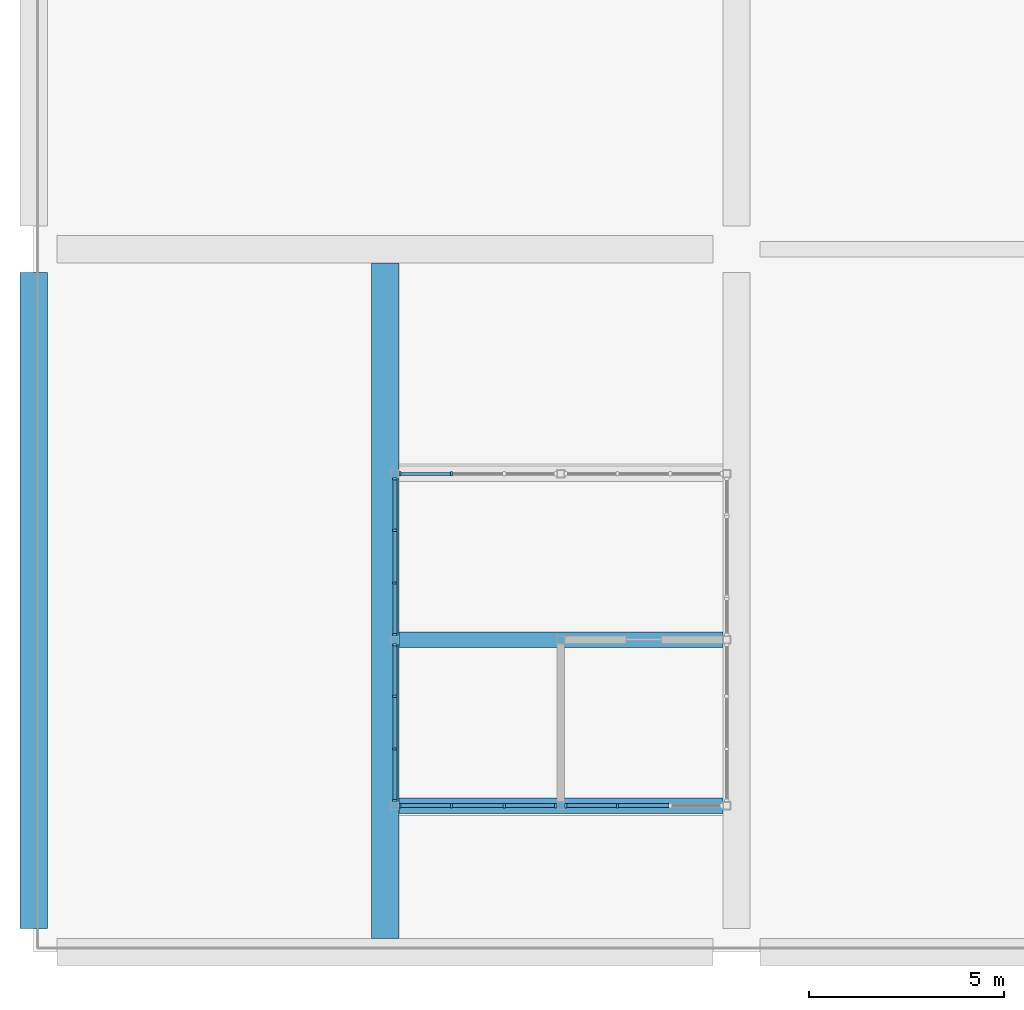
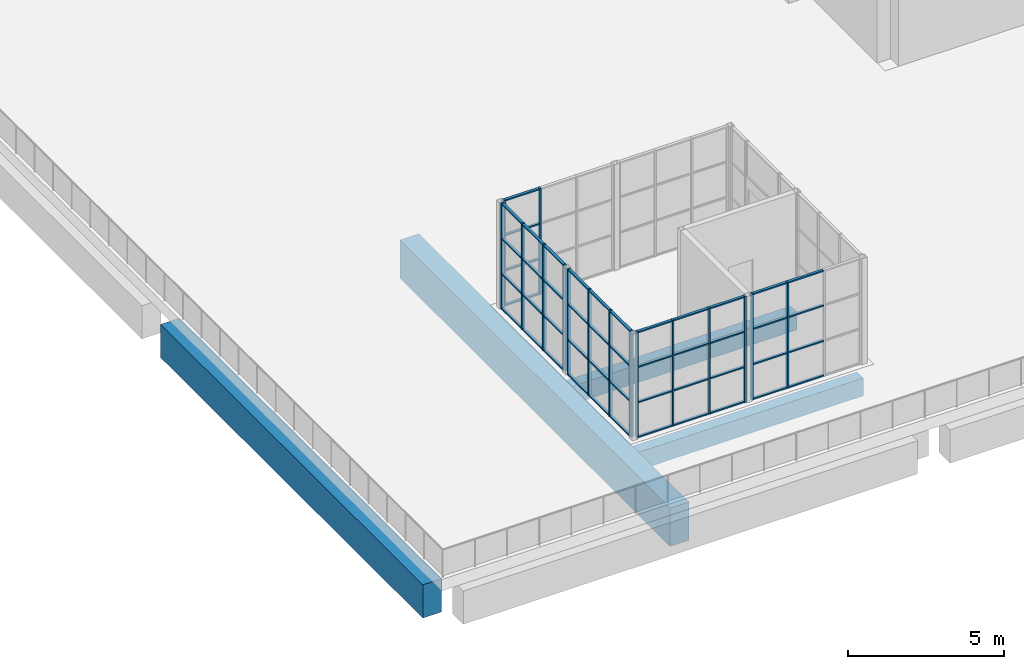
# One storey, part 13 of 168: 64 members, 4 beams, 5 elements without a shape of their own.
"""IFC4 building model written with IfcOpenShell, lengths in metres."""

from ifc_helpers import new_model, si_unit, direction, frame, origin, origin_2d, place, context, subcontext, project, spatial, rectangle, extrude, material, material_profile, profile_set, type_object, element, aggregate, save


model = new_model("IFC4")

# Units and contexts
model_context = context("Model", 3, precision=1e-05, world=origin(), true_north=direction((0.0, 1.0)))
body_context = subcontext(model_context, "Body", "Model", "MODEL_VIEW")
ifc_project = project(units=[si_unit("LENGTHUNIT", "METRE"), si_unit("AREAUNIT", "SQUARE_METRE"), si_unit("VOLUMEUNIT", "CUBIC_METRE"), si_unit("PLANEANGLEUNIT", "RADIAN"), si_unit("MASSUNIT", "GRAM", prefix="KILO")], contexts=[model_context])

# Site, building, storey
site_placement = place(None, origin())
site = spatial("IfcSite", under=ifc_project, at=site_placement, CompositionType="ELEMENT")
building_placement = place(site_placement, origin())
building = spatial("IfcBuilding", under=site, at=building_placement, Name="Silverbay Arena", CompositionType="ELEMENT")
storey_placement = place(building_placement, frame((0.0, 0.0, 7.0)))
storey = spatial("IfcBuildingStorey", under=building, at=storey_placement, Name="L01", CompositionType="ELEMENT", Elevation=7.0)

# Curtain wall, members
ifc_material_1 = material(Name="Aluminium framed curtain wall", Category="aluminium")
curtain_wall_type = type_object("IfcCurtainWallType", Name="Curtain wall 4050 x 4150", PredefinedType="NOTDEFINED", material=ifc_material_1)
curtain_wall_1_placement = place(storey_placement, origin())
curtain_wall_1 = element("IfcCurtainWall", 1, at=curtain_wall_1_placement, inside=storey, type_object=curtain_wall_type, Name="Pavilion south curtain wall 1", PredefinedType="NOTDEFINED")
ifc_material_2 = material(Name="Aluminium", Category="aluminium")
ifc_material_profile_1 = material_profile(ifc_material_2, rectangle(XDim=0.1201171875, YDim=0.06005859375, at=origin_2d()), Name="Mullion 60 x 120")
ifc_profile_set_1 = profile_set([ifc_material_profile_1], Name="Aluminium")
member_type_1 = type_object("IfcMemberType", Name="Mullion 60 x 120", PredefinedType="MULLION", material=ifc_profile_set_1)
member_1_placement = place(storey_placement, frame((9.3798828125, 3.75, 0.0), z_axis=(0.0, 0.0, 1.0), x_axis=(0.0, 1.0, 0.0)))
member_1 = element("IfcMember", 2, at=member_1_placement, type_object=member_type_1, Name="CW21 mullion 1", PredefinedType="MULLION", context=body_context, shape_type="SweptSolid", body=[
    extrude(rectangle(XDim=0.1201171875, YDim=0.06005859375, at=origin_2d()), origin(), (0.0, 0.0, 1.0), 4.14990234375),
])
member_2_placement = place(storey_placement, frame((10.699951171875, 3.75, 0.0), z_axis=(0.0, 0.0, 1.0), x_axis=(0.0, 1.0, 0.0)))
member_2 = element("IfcMember", 3, at=member_2_placement, type_object=member_type_1, Name="CW21 mullion 2", PredefinedType="MULLION", context=body_context, shape_type="SweptSolid", body=[
    extrude(rectangle(XDim=0.1201171875, YDim=0.06005859375, at=origin_2d()), origin(), (0.0, 0.0, 1.0), 4.14990234375),
])
member_3_placement = place(storey_placement, frame((12.050048828125, 3.75, 0.0), z_axis=(0.0, 0.0, 1.0), x_axis=(0.0, 1.0, 0.0)))
member_3 = element("IfcMember", 4, at=member_3_placement, type_object=member_type_1, Name="CW21 mullion 3", PredefinedType="MULLION", context=body_context, shape_type="SweptSolid", body=[
    extrude(rectangle(XDim=0.1201171875, YDim=0.06005859375, at=origin_2d()), origin(), (0.0, 0.0, 1.0), 4.14990234375),
])
member_4_placement = place(storey_placement, frame((13.3701171875, 3.75, 0.0), z_axis=(0.0, 0.0, 1.0), x_axis=(0.0, 1.0, 0.0)))
member_4 = element("IfcMember", 5, at=member_4_placement, type_object=member_type_1, Name="CW21 mullion 4", PredefinedType="MULLION", context=body_context, shape_type="SweptSolid", body=[
    extrude(rectangle(XDim=0.1201171875, YDim=0.06005859375, at=origin_2d()), origin(), (0.0, 0.0, 1.0), 4.14990234375),
])

curtain_wall_2_placement = place(storey_placement, origin())
curtain_wall_2 = element("IfcCurtainWall", 6, at=curtain_wall_2_placement, inside=storey, type_object=curtain_wall_type, Name="Pavilion south curtain wall 2", PredefinedType="NOTDEFINED")
member_5_placement = place(storey_placement, frame((13.6298828125, 3.75, 0.0), z_axis=(0.0, 0.0, 1.0), x_axis=(0.0, 1.0, 0.0)))
member_5 = element("IfcMember", 7, at=member_5_placement, type_object=member_type_1, Name="CW21 mullion 1", PredefinedType="MULLION", context=body_context, shape_type="SweptSolid", body=[
    extrude(rectangle(XDim=0.1201171875, YDim=0.06005859375, at=origin_2d()), origin(), (0.0, 0.0, 1.0), 4.14990234375),
])
member_6_placement = place(storey_placement, frame((14.949951171875, 3.75, 0.0), z_axis=(0.0, 0.0, 1.0), x_axis=(0.0, 1.0, 0.0)))
member_6 = element("IfcMember", 8, at=member_6_placement, type_object=member_type_1, Name="CW21 mullion 2", PredefinedType="MULLION", context=body_context, shape_type="SweptSolid", body=[
    extrude(rectangle(XDim=0.1201171875, YDim=0.06005859375, at=origin_2d()), origin(), (0.0, 0.0, 1.0), 4.14990234375),
])

curtain_wall_3_placement = place(storey_placement, origin())
curtain_wall_3 = element("IfcCurtainWall", 9, at=curtain_wall_3_placement, inside=storey, type_object=curtain_wall_type, Name="Pavilion north curtain wall 1", PredefinedType="NOTDEFINED")
member_7_placement = place(storey_placement, frame((9.3798828125, 12.25, 0.0), z_axis=(0.0, 0.0, 1.0), x_axis=(0.0, 1.0, 0.0)))
member_7 = element("IfcMember", 10, at=member_7_placement, type_object=member_type_1, Name="CW21 mullion 1", PredefinedType="MULLION", context=body_context, shape_type="SweptSolid", body=[
    extrude(rectangle(XDim=0.1201171875, YDim=0.06005859375, at=origin_2d()), origin(), (0.0, 0.0, 1.0), 4.14990234375),
])
member_8_placement = place(storey_placement, frame((10.699951171875, 12.25, 0.0), z_axis=(0.0, 0.0, 1.0), x_axis=(0.0, 1.0, 0.0)))
member_8 = element("IfcMember", 11, at=member_8_placement, type_object=member_type_1, Name="CW21 mullion 2", PredefinedType="MULLION", context=body_context, shape_type="SweptSolid", body=[
    extrude(rectangle(XDim=0.1201171875, YDim=0.06005859375, at=origin_2d()), origin(), (0.0, 0.0, 1.0), 4.14990234375),
])

curtain_wall_4_placement = place(storey_placement, origin())
curtain_wall_4 = element("IfcCurtainWall", 12, at=curtain_wall_4_placement, inside=storey, type_object=curtain_wall_type, Name="Pavilion west curtain wall 1", PredefinedType="NOTDEFINED")
member_9_placement = place(storey_placement, frame((9.25, 3.8798828125, 0.0), z_axis=(0.0, 0.0, 1.0), x_axis=(-1.0, 0.0, 0.0)))
member_9 = element("IfcMember", 13, at=member_9_placement, type_object=member_type_1, Name="CW21 mullion 1", PredefinedType="MULLION", context=body_context, shape_type="SweptSolid", body=[
    extrude(rectangle(XDim=0.1201171875, YDim=0.06005859375, at=origin_2d()), origin(), (0.0, 0.0, 1.0), 4.14990234375),
])
member_10_placement = place(storey_placement, frame((9.25, 5.199951171875, 0.0), z_axis=(0.0, 0.0, 1.0), x_axis=(-1.0, 0.0, 0.0)))
member_10 = element("IfcMember", 14, at=member_10_placement, type_object=member_type_1, Name="CW21 mullion 2", PredefinedType="MULLION", context=body_context, shape_type="SweptSolid", body=[
    extrude(rectangle(XDim=0.1201171875, YDim=0.06005859375, at=origin_2d()), origin(), (0.0, 0.0, 1.0), 4.14990234375),
])
member_11_placement = place(storey_placement, frame((9.25, 6.550048828125, 0.0), z_axis=(0.0, 0.0, 1.0), x_axis=(-1.0, 0.0, 0.0)))
member_11 = element("IfcMember", 15, at=member_11_placement, type_object=member_type_1, Name="CW21 mullion 3", PredefinedType="MULLION", context=body_context, shape_type="SweptSolid", body=[
    extrude(rectangle(XDim=0.1201171875, YDim=0.06005859375, at=origin_2d()), origin(), (0.0, 0.0, 1.0), 4.14990234375),
])
member_12_placement = place(storey_placement, frame((9.25, 7.8701171875, 0.0), z_axis=(0.0, 0.0, 1.0), x_axis=(-1.0, 0.0, 0.0)))
member_12 = element("IfcMember", 16, at=member_12_placement, type_object=member_type_1, Name="CW21 mullion 4", PredefinedType="MULLION", context=body_context, shape_type="SweptSolid", body=[
    extrude(rectangle(XDim=0.1201171875, YDim=0.06005859375, at=origin_2d()), origin(), (0.0, 0.0, 1.0), 4.14990234375),
])

curtain_wall_5_placement = place(storey_placement, origin())
curtain_wall_5 = element("IfcCurtainWall", 17, at=curtain_wall_5_placement, inside=storey, type_object=curtain_wall_type, Name="Pavilion west curtain wall 2", PredefinedType="NOTDEFINED")
member_13_placement = place(storey_placement, frame((9.25, 8.1298828125, 0.0), z_axis=(0.0, 0.0, 1.0), x_axis=(-1.0, 0.0, 0.0)))
member_13 = element("IfcMember", 18, at=member_13_placement, type_object=member_type_1, Name="CW21 mullion 1", PredefinedType="MULLION", context=body_context, shape_type="SweptSolid", body=[
    extrude(rectangle(XDim=0.1201171875, YDim=0.06005859375, at=origin_2d()), origin(), (0.0, 0.0, 1.0), 4.14990234375),
])
member_14_placement = place(storey_placement, frame((9.25, 9.449951171875, 0.0), z_axis=(0.0, 0.0, 1.0), x_axis=(-1.0, 0.0, 0.0)))
member_14 = element("IfcMember", 19, at=member_14_placement, type_object=member_type_1, Name="CW21 mullion 2", PredefinedType="MULLION", context=body_context, shape_type="SweptSolid", body=[
    extrude(rectangle(XDim=0.1201171875, YDim=0.06005859375, at=origin_2d()), origin(), (0.0, 0.0, 1.0), 4.14990234375),
])
member_15_placement = place(storey_placement, frame((9.25, 10.800048828125, 0.0), z_axis=(0.0, 0.0, 1.0), x_axis=(-1.0, 0.0, 0.0)))
member_15 = element("IfcMember", 20, at=member_15_placement, type_object=member_type_1, Name="CW21 mullion 3", PredefinedType="MULLION", context=body_context, shape_type="SweptSolid", body=[
    extrude(rectangle(XDim=0.1201171875, YDim=0.06005859375, at=origin_2d()), origin(), (0.0, 0.0, 1.0), 4.14990234375),
])
member_16_placement = place(storey_placement, frame((9.25, 12.1201171875, 0.0), z_axis=(0.0, 0.0, 1.0), x_axis=(-1.0, 0.0, 0.0)))
member_16 = element("IfcMember", 21, at=member_16_placement, type_object=member_type_1, Name="CW21 mullion 4", PredefinedType="MULLION", context=body_context, shape_type="SweptSolid", body=[
    extrude(rectangle(XDim=0.1201171875, YDim=0.06005859375, at=origin_2d()), origin(), (0.0, 0.0, 1.0), 4.14990234375),
])

# Beams
ifc_material_3 = material(Name="Concrete Grade C45", Category="concrete")
ifc_material_profile_2 = material_profile(ifc_material_3, rectangle(XDim=0.39990234375, YDim=0.699951171875, at=origin_2d()), Name="RC 400x700")
ifc_profile_set_2 = profile_set([ifc_material_profile_2], Name="Concrete Grade C45")
beam_type_1 = type_object("IfcBeamType", Name="RC beam 400x700", PredefinedType="BEAM", material=ifc_profile_set_2)
for number, where, z_axis, x_axis, name in (
    (22, (9.35009765625, 8.0, -0.800048828125), (1.0, 0.0, 0.0), (0.0, 1.0, 0.0), "Pavilion floor beam"),
    (23, (9.35009765625, 3.75, -0.800048828125), (1.0, 0.0, 0.0), (0.0, 1.0, 0.0), "Pavilion floor beam"),
):
    element("IfcBeam", number, at=place(storey_placement, frame(where, z_axis=z_axis, x_axis=x_axis)), inside=storey, type_object=beam_type_1, Name=name, PredefinedType="BEAM", context=body_context, shape_type="SweptSolid", body=[
        extrude(rectangle(XDim=0.39990234375, YDim=0.699951171875, at=origin_2d()), origin(), (0.0, 0.0, 1.0), 8.2998046875),
    ])
ifc_material_4 = material(Name="Concrete Grade C45", Category="concrete")
ifc_material_profile_3 = material_profile(ifc_material_4, rectangle(XDim=0.699951171875, YDim=1.300048828125, at=origin_2d()), Name="RC 700x1300")
ifc_profile_set_3 = profile_set([ifc_material_profile_3], Name="Concrete Grade C45")
beam_type_2 = type_object("IfcBeamType", Name="RC girder 700x1300", PredefinedType="BEAM", material=ifc_profile_set_3)
beam_1_placement = place(storey_placement, frame((0.0, 0.60009765625, -1.10009765625), z_axis=(0.0, 1.0, 0.0), x_axis=(-1.0, 0.0, 0.0)))
element("IfcBeam", 24, at=beam_1_placement, inside=storey, type_object=beam_type_2, Name="Deck girder 139", PredefinedType="BEAM", context=body_context, shape_type="SweptSolid", body=[
    extrude(rectangle(XDim=0.699951171875, YDim=1.300048828125, at=origin_2d()), origin(), (0.0, 0.0, 1.0), 16.7998046875),
])
ifc_material_5 = material(Name="Concrete Grade C45", Category="concrete")
ifc_material_profile_4 = material_profile(ifc_material_5, rectangle(XDim=0.699951171875, YDim=1.5, at=origin_2d()), Name="RC 700x1500")
ifc_profile_set_4 = profile_set([ifc_material_profile_4], Name="Concrete Grade C45")
beam_type_3 = type_object("IfcBeamType", Name="RC pavilion girder 700x1500", PredefinedType="BEAM", material=ifc_profile_set_4)
beam_2_placement = place(storey_placement, frame((9.0, 0.35009765625, -1.199951171875), z_axis=(0.0, 1.0, 0.0), x_axis=(-1.0, 0.0, 0.0)))
element("IfcBeam", 25, at=beam_2_placement, inside=storey, type_object=beam_type_3, Name="Deck secondary beam 097", PredefinedType="BEAM", context=body_context, shape_type="SweptSolid", body=[
    extrude(rectangle(XDim=0.699951171875, YDim=1.5, at=origin_2d()), origin(), (0.0, 0.0, 1.0), 17.2998046875),
])

# Member
ifc_material_6 = material(Name="Aluminium", Category="aluminium")
ifc_material_profile_5 = material_profile(ifc_material_6, rectangle(XDim=0.10009765625, YDim=0.050048828125, at=origin_2d()), Name="Transom 50 x 100")
ifc_profile_set_5 = profile_set([ifc_material_profile_5], Name="Aluminium")
member_type_2 = type_object("IfcMemberType", Name="Transom 50 x 100", PredefinedType="USERDEFINED", material=ifc_profile_set_5)
member_17_placement = place(storey_placement, frame((9.409912109375, 3.75, 0.02490234375), z_axis=(1.0, 0.0, 0.0), x_axis=(0.0, 1.0, 0.0)))
member_17 = element("IfcMember", 26, at=member_17_placement, type_object=member_type_2, Name="CW21 transom 1.1", ObjectType="TRANSOM", PredefinedType="USERDEFINED", context=body_context, shape_type="SweptSolid", body=[
    extrude(rectangle(XDim=0.10009765625, YDim=0.050048828125, at=origin_2d()), origin(), (0.0, 0.0, 1.0), 1.260009765625),
])

member_18_placement = place(storey_placement, frame((9.409912109375, 3.75, 1.38330078125), z_axis=(1.0, 0.0, 0.0), x_axis=(0.0, 1.0, 0.0)))
member_18 = element("IfcMember", 27, at=member_18_placement, type_object=member_type_2, Name="CW21 transom 1.2", ObjectType="TRANSOM", PredefinedType="USERDEFINED", context=body_context, shape_type="SweptSolid", body=[
    extrude(rectangle(XDim=0.10009765625, YDim=0.050048828125, at=origin_2d()), origin(), (0.0, 0.0, 1.0), 1.260009765625),
])

member_19_placement = place(storey_placement, frame((9.409912109375, 3.75, 2.7666015625), z_axis=(1.0, 0.0, 0.0), x_axis=(0.0, 1.0, 0.0)))
member_19 = element("IfcMember", 28, at=member_19_placement, type_object=member_type_2, Name="CW21 transom 1.3", ObjectType="TRANSOM", PredefinedType="USERDEFINED", context=body_context, shape_type="SweptSolid", body=[
    extrude(rectangle(XDim=0.10009765625, YDim=0.050048828125, at=origin_2d()), origin(), (0.0, 0.0, 1.0), 1.260009765625),
])

member_20_placement = place(storey_placement, frame((9.409912109375, 3.75, 4.125), z_axis=(1.0, 0.0, 0.0), x_axis=(0.0, 1.0, 0.0)))
member_20 = element("IfcMember", 29, at=member_20_placement, type_object=member_type_2, Name="CW21 transom 1.4", ObjectType="TRANSOM", PredefinedType="USERDEFINED", context=body_context, shape_type="SweptSolid", body=[
    extrude(rectangle(XDim=0.10009765625, YDim=0.050048828125, at=origin_2d()), origin(), (0.0, 0.0, 1.0), 1.260009765625),
])

member_21_placement = place(storey_placement, frame((10.72998046875, 3.75, 0.02490234375), z_axis=(1.0, 0.0, 0.0), x_axis=(0.0, 1.0, 0.0)))
member_21 = element("IfcMember", 30, at=member_21_placement, type_object=member_type_2, Name="CW21 transom 2.1", ObjectType="TRANSOM", PredefinedType="USERDEFINED", context=body_context, shape_type="SweptSolid", body=[
    extrude(rectangle(XDim=0.10009765625, YDim=0.050048828125, at=origin_2d()), origin(), (0.0, 0.0, 1.0), 1.2900390625),
])

member_22_placement = place(storey_placement, frame((10.72998046875, 3.75, 1.38330078125), z_axis=(1.0, 0.0, 0.0), x_axis=(0.0, 1.0, 0.0)))
member_22 = element("IfcMember", 31, at=member_22_placement, type_object=member_type_2, Name="CW21 transom 2.2", ObjectType="TRANSOM", PredefinedType="USERDEFINED", context=body_context, shape_type="SweptSolid", body=[
    extrude(rectangle(XDim=0.10009765625, YDim=0.050048828125, at=origin_2d()), origin(), (0.0, 0.0, 1.0), 1.2900390625),
])

member_23_placement = place(storey_placement, frame((10.72998046875, 3.75, 2.7666015625), z_axis=(1.0, 0.0, 0.0), x_axis=(0.0, 1.0, 0.0)))
member_23 = element("IfcMember", 32, at=member_23_placement, type_object=member_type_2, Name="CW21 transom 2.3", ObjectType="TRANSOM", PredefinedType="USERDEFINED", context=body_context, shape_type="SweptSolid", body=[
    extrude(rectangle(XDim=0.10009765625, YDim=0.050048828125, at=origin_2d()), origin(), (0.0, 0.0, 1.0), 1.2900390625),
])

member_24_placement = place(storey_placement, frame((10.72998046875, 3.75, 4.125), z_axis=(1.0, 0.0, 0.0), x_axis=(0.0, 1.0, 0.0)))
member_24 = element("IfcMember", 33, at=member_24_placement, type_object=member_type_2, Name="CW21 transom 2.4", ObjectType="TRANSOM", PredefinedType="USERDEFINED", context=body_context, shape_type="SweptSolid", body=[
    extrude(rectangle(XDim=0.10009765625, YDim=0.050048828125, at=origin_2d()), origin(), (0.0, 0.0, 1.0), 1.2900390625),
])

member_25_placement = place(storey_placement, frame((12.080078125, 3.75, 0.02490234375), z_axis=(1.0, 0.0, 0.0), x_axis=(0.0, 1.0, 0.0)))
member_25 = element("IfcMember", 34, at=member_25_placement, type_object=member_type_2, Name="CW21 transom 3.1", ObjectType="TRANSOM", PredefinedType="USERDEFINED", context=body_context, shape_type="SweptSolid", body=[
    extrude(rectangle(XDim=0.10009765625, YDim=0.050048828125, at=origin_2d()), origin(), (0.0, 0.0, 1.0), 1.260009765625),
])

member_26_placement = place(storey_placement, frame((12.080078125, 3.75, 1.38330078125), z_axis=(1.0, 0.0, 0.0), x_axis=(0.0, 1.0, 0.0)))
member_26 = element("IfcMember", 35, at=member_26_placement, type_object=member_type_2, Name="CW21 transom 3.2", ObjectType="TRANSOM", PredefinedType="USERDEFINED", context=body_context, shape_type="SweptSolid", body=[
    extrude(rectangle(XDim=0.10009765625, YDim=0.050048828125, at=origin_2d()), origin(), (0.0, 0.0, 1.0), 1.260009765625),
])

member_27_placement = place(storey_placement, frame((12.080078125, 3.75, 2.7666015625), z_axis=(1.0, 0.0, 0.0), x_axis=(0.0, 1.0, 0.0)))
member_27 = element("IfcMember", 36, at=member_27_placement, type_object=member_type_2, Name="CW21 transom 3.3", ObjectType="TRANSOM", PredefinedType="USERDEFINED", context=body_context, shape_type="SweptSolid", body=[
    extrude(rectangle(XDim=0.10009765625, YDim=0.050048828125, at=origin_2d()), origin(), (0.0, 0.0, 1.0), 1.260009765625),
])

member_28_placement = place(storey_placement, frame((12.080078125, 3.75, 4.125), z_axis=(1.0, 0.0, 0.0), x_axis=(0.0, 1.0, 0.0)))
member_28 = element("IfcMember", 37, at=member_28_placement, type_object=member_type_2, Name="CW21 transom 3.4", ObjectType="TRANSOM", PredefinedType="USERDEFINED", context=body_context, shape_type="SweptSolid", body=[
    extrude(rectangle(XDim=0.10009765625, YDim=0.050048828125, at=origin_2d()), origin(), (0.0, 0.0, 1.0), 1.260009765625),
])

aggregate(curtain_wall_1, [member_1, member_2, member_3, member_4, member_17, member_18, member_19, member_20, member_21, member_22, member_23, member_24, member_25, member_26, member_27, member_28])

member_29_placement = place(storey_placement, frame((13.659912109375, 3.75, 0.02490234375), z_axis=(1.0, 0.0, 0.0), x_axis=(0.0, 1.0, 0.0)))
member_29 = element("IfcMember", 38, at=member_29_placement, type_object=member_type_2, Name="CW21 transom 1.1", ObjectType="TRANSOM", PredefinedType="USERDEFINED", context=body_context, shape_type="SweptSolid", body=[
    extrude(rectangle(XDim=0.10009765625, YDim=0.050048828125, at=origin_2d()), origin(), (0.0, 0.0, 1.0), 1.260009765625),
])

member_30_placement = place(storey_placement, frame((13.659912109375, 3.75, 1.38330078125), z_axis=(1.0, 0.0, 0.0), x_axis=(0.0, 1.0, 0.0)))
member_30 = element("IfcMember", 39, at=member_30_placement, type_object=member_type_2, Name="CW21 transom 1.2", ObjectType="TRANSOM", PredefinedType="USERDEFINED", context=body_context, shape_type="SweptSolid", body=[
    extrude(rectangle(XDim=0.10009765625, YDim=0.050048828125, at=origin_2d()), origin(), (0.0, 0.0, 1.0), 1.260009765625),
])

member_31_placement = place(storey_placement, frame((13.659912109375, 3.75, 2.7666015625), z_axis=(1.0, 0.0, 0.0), x_axis=(0.0, 1.0, 0.0)))
member_31 = element("IfcMember", 40, at=member_31_placement, type_object=member_type_2, Name="CW21 transom 1.3", ObjectType="TRANSOM", PredefinedType="USERDEFINED", context=body_context, shape_type="SweptSolid", body=[
    extrude(rectangle(XDim=0.10009765625, YDim=0.050048828125, at=origin_2d()), origin(), (0.0, 0.0, 1.0), 1.260009765625),
])

member_32_placement = place(storey_placement, frame((13.659912109375, 3.75, 4.125), z_axis=(1.0, 0.0, 0.0), x_axis=(0.0, 1.0, 0.0)))
member_32 = element("IfcMember", 41, at=member_32_placement, type_object=member_type_2, Name="CW21 transom 1.4", ObjectType="TRANSOM", PredefinedType="USERDEFINED", context=body_context, shape_type="SweptSolid", body=[
    extrude(rectangle(XDim=0.10009765625, YDim=0.050048828125, at=origin_2d()), origin(), (0.0, 0.0, 1.0), 1.260009765625),
])

member_33_placement = place(storey_placement, frame((14.97998046875, 3.75, 0.02490234375), z_axis=(1.0, 0.0, 0.0), x_axis=(0.0, 1.0, 0.0)))
member_33 = element("IfcMember", 42, at=member_33_placement, type_object=member_type_2, Name="CW21 transom 2.1", ObjectType="TRANSOM", PredefinedType="USERDEFINED", context=body_context, shape_type="SweptSolid", body=[
    extrude(rectangle(XDim=0.10009765625, YDim=0.050048828125, at=origin_2d()), origin(), (0.0, 0.0, 1.0), 1.2900390625),
])

member_34_placement = place(storey_placement, frame((14.97998046875, 3.75, 1.38330078125), z_axis=(1.0, 0.0, 0.0), x_axis=(0.0, 1.0, 0.0)))
member_34 = element("IfcMember", 43, at=member_34_placement, type_object=member_type_2, Name="CW21 transom 2.2", ObjectType="TRANSOM", PredefinedType="USERDEFINED", context=body_context, shape_type="SweptSolid", body=[
    extrude(rectangle(XDim=0.10009765625, YDim=0.050048828125, at=origin_2d()), origin(), (0.0, 0.0, 1.0), 1.2900390625),
])

member_35_placement = place(storey_placement, frame((14.97998046875, 3.75, 2.7666015625), z_axis=(1.0, 0.0, 0.0), x_axis=(0.0, 1.0, 0.0)))
member_35 = element("IfcMember", 44, at=member_35_placement, type_object=member_type_2, Name="CW21 transom 2.3", ObjectType="TRANSOM", PredefinedType="USERDEFINED", context=body_context, shape_type="SweptSolid", body=[
    extrude(rectangle(XDim=0.10009765625, YDim=0.050048828125, at=origin_2d()), origin(), (0.0, 0.0, 1.0), 1.2900390625),
])

member_36_placement = place(storey_placement, frame((14.97998046875, 3.75, 4.125), z_axis=(1.0, 0.0, 0.0), x_axis=(0.0, 1.0, 0.0)))
member_36 = element("IfcMember", 45, at=member_36_placement, type_object=member_type_2, Name="CW21 transom 2.4", ObjectType="TRANSOM", PredefinedType="USERDEFINED", context=body_context, shape_type="SweptSolid", body=[
    extrude(rectangle(XDim=0.10009765625, YDim=0.050048828125, at=origin_2d()), origin(), (0.0, 0.0, 1.0), 1.2900390625),
])

aggregate(curtain_wall_2, [member_5, member_6, member_29, member_30, member_31, member_32, member_33, member_34, member_35, member_36])

member_37_placement = place(storey_placement, frame((9.409912109375, 12.25, 0.02490234375), z_axis=(1.0, 0.0, 0.0), x_axis=(0.0, 1.0, 0.0)))
member_37 = element("IfcMember", 46, at=member_37_placement, type_object=member_type_2, Name="CW21 transom 1.1", ObjectType="TRANSOM", PredefinedType="USERDEFINED", context=body_context, shape_type="SweptSolid", body=[
    extrude(rectangle(XDim=0.10009765625, YDim=0.050048828125, at=origin_2d()), origin(), (0.0, 0.0, 1.0), 1.260009765625),
])

member_38_placement = place(storey_placement, frame((9.409912109375, 12.25, 1.38330078125), z_axis=(1.0, 0.0, 0.0), x_axis=(0.0, 1.0, 0.0)))
member_38 = element("IfcMember", 47, at=member_38_placement, type_object=member_type_2, Name="CW21 transom 1.2", ObjectType="TRANSOM", PredefinedType="USERDEFINED", context=body_context, shape_type="SweptSolid", body=[
    extrude(rectangle(XDim=0.10009765625, YDim=0.050048828125, at=origin_2d()), origin(), (0.0, 0.0, 1.0), 1.260009765625),
])

member_39_placement = place(storey_placement, frame((9.409912109375, 12.25, 2.7666015625), z_axis=(1.0, 0.0, 0.0), x_axis=(0.0, 1.0, 0.0)))
member_39 = element("IfcMember", 48, at=member_39_placement, type_object=member_type_2, Name="CW21 transom 1.3", ObjectType="TRANSOM", PredefinedType="USERDEFINED", context=body_context, shape_type="SweptSolid", body=[
    extrude(rectangle(XDim=0.10009765625, YDim=0.050048828125, at=origin_2d()), origin(), (0.0, 0.0, 1.0), 1.260009765625),
])

member_40_placement = place(storey_placement, frame((9.409912109375, 12.25, 4.125), z_axis=(1.0, 0.0, 0.0), x_axis=(0.0, 1.0, 0.0)))
member_40 = element("IfcMember", 49, at=member_40_placement, type_object=member_type_2, Name="CW21 transom 1.4", ObjectType="TRANSOM", PredefinedType="USERDEFINED", context=body_context, shape_type="SweptSolid", body=[
    extrude(rectangle(XDim=0.10009765625, YDim=0.050048828125, at=origin_2d()), origin(), (0.0, 0.0, 1.0), 1.260009765625),
])

aggregate(curtain_wall_3, [member_7, member_8, member_37, member_38, member_39, member_40])

member_41_placement = place(storey_placement, frame((9.25, 3.909912109375, 0.02490234375), z_axis=(0.0, 1.0, 0.0), x_axis=(-1.0, 0.0, 0.0)))
member_41 = element("IfcMember", 50, at=member_41_placement, type_object=member_type_2, Name="CW21 transom 1.1", ObjectType="TRANSOM", PredefinedType="USERDEFINED", context=body_context, shape_type="SweptSolid", body=[
    extrude(rectangle(XDim=0.10009765625, YDim=0.050048828125, at=origin_2d()), origin(), (0.0, 0.0, 1.0), 1.260009765625),
])

member_42_placement = place(storey_placement, frame((9.25, 3.909912109375, 1.38330078125), z_axis=(0.0, 1.0, 0.0), x_axis=(-1.0, 0.0, 0.0)))
member_42 = element("IfcMember", 51, at=member_42_placement, type_object=member_type_2, Name="CW21 transom 1.2", ObjectType="TRANSOM", PredefinedType="USERDEFINED", context=body_context, shape_type="SweptSolid", body=[
    extrude(rectangle(XDim=0.10009765625, YDim=0.050048828125, at=origin_2d()), origin(), (0.0, 0.0, 1.0), 1.260009765625),
])

member_43_placement = place(storey_placement, frame((9.25, 3.909912109375, 2.7666015625), z_axis=(0.0, 1.0, 0.0), x_axis=(-1.0, 0.0, 0.0)))
member_43 = element("IfcMember", 52, at=member_43_placement, type_object=member_type_2, Name="CW21 transom 1.3", ObjectType="TRANSOM", PredefinedType="USERDEFINED", context=body_context, shape_type="SweptSolid", body=[
    extrude(rectangle(XDim=0.10009765625, YDim=0.050048828125, at=origin_2d()), origin(), (0.0, 0.0, 1.0), 1.260009765625),
])

member_44_placement = place(storey_placement, frame((9.25, 3.909912109375, 4.125), z_axis=(0.0, 1.0, 0.0), x_axis=(-1.0, 0.0, 0.0)))
member_44 = element("IfcMember", 53, at=member_44_placement, type_object=member_type_2, Name="CW21 transom 1.4", ObjectType="TRANSOM", PredefinedType="USERDEFINED", context=body_context, shape_type="SweptSolid", body=[
    extrude(rectangle(XDim=0.10009765625, YDim=0.050048828125, at=origin_2d()), origin(), (0.0, 0.0, 1.0), 1.260009765625),
])

member_45_placement = place(storey_placement, frame((9.25, 5.22998046875, 0.02490234375), z_axis=(0.0, 1.0, 0.0), x_axis=(-1.0, 0.0, 0.0)))
member_45 = element("IfcMember", 54, at=member_45_placement, type_object=member_type_2, Name="CW21 transom 2.1", ObjectType="TRANSOM", PredefinedType="USERDEFINED", context=body_context, shape_type="SweptSolid", body=[
    extrude(rectangle(XDim=0.10009765625, YDim=0.050048828125, at=origin_2d()), origin(), (0.0, 0.0, 1.0), 1.2900390625),
])

member_46_placement = place(storey_placement, frame((9.25, 5.22998046875, 1.38330078125), z_axis=(0.0, 1.0, 0.0), x_axis=(-1.0, 0.0, 0.0)))
member_46 = element("IfcMember", 55, at=member_46_placement, type_object=member_type_2, Name="CW21 transom 2.2", ObjectType="TRANSOM", PredefinedType="USERDEFINED", context=body_context, shape_type="SweptSolid", body=[
    extrude(rectangle(XDim=0.10009765625, YDim=0.050048828125, at=origin_2d()), origin(), (0.0, 0.0, 1.0), 1.2900390625),
])

member_47_placement = place(storey_placement, frame((9.25, 5.22998046875, 2.7666015625), z_axis=(0.0, 1.0, 0.0), x_axis=(-1.0, 0.0, 0.0)))
member_47 = element("IfcMember", 56, at=member_47_placement, type_object=member_type_2, Name="CW21 transom 2.3", ObjectType="TRANSOM", PredefinedType="USERDEFINED", context=body_context, shape_type="SweptSolid", body=[
    extrude(rectangle(XDim=0.10009765625, YDim=0.050048828125, at=origin_2d()), origin(), (0.0, 0.0, 1.0), 1.2900390625),
])

member_48_placement = place(storey_placement, frame((9.25, 5.22998046875, 4.125), z_axis=(0.0, 1.0, 0.0), x_axis=(-1.0, 0.0, 0.0)))
member_48 = element("IfcMember", 57, at=member_48_placement, type_object=member_type_2, Name="CW21 transom 2.4", ObjectType="TRANSOM", PredefinedType="USERDEFINED", context=body_context, shape_type="SweptSolid", body=[
    extrude(rectangle(XDim=0.10009765625, YDim=0.050048828125, at=origin_2d()), origin(), (0.0, 0.0, 1.0), 1.2900390625),
])

member_49_placement = place(storey_placement, frame((9.25, 6.580078125, 0.02490234375), z_axis=(0.0, 1.0, 0.0), x_axis=(-1.0, 0.0, 0.0)))
member_49 = element("IfcMember", 58, at=member_49_placement, type_object=member_type_2, Name="CW21 transom 3.1", ObjectType="TRANSOM", PredefinedType="USERDEFINED", context=body_context, shape_type="SweptSolid", body=[
    extrude(rectangle(XDim=0.10009765625, YDim=0.050048828125, at=origin_2d()), origin(), (0.0, 0.0, 1.0), 1.260009765625),
])

member_50_placement = place(storey_placement, frame((9.25, 6.580078125, 1.38330078125), z_axis=(0.0, 1.0, 0.0), x_axis=(-1.0, 0.0, 0.0)))
member_50 = element("IfcMember", 59, at=member_50_placement, type_object=member_type_2, Name="CW21 transom 3.2", ObjectType="TRANSOM", PredefinedType="USERDEFINED", context=body_context, shape_type="SweptSolid", body=[
    extrude(rectangle(XDim=0.10009765625, YDim=0.050048828125, at=origin_2d()), origin(), (0.0, 0.0, 1.0), 1.260009765625),
])

member_51_placement = place(storey_placement, frame((9.25, 6.580078125, 2.7666015625), z_axis=(0.0, 1.0, 0.0), x_axis=(-1.0, 0.0, 0.0)))
member_51 = element("IfcMember", 60, at=member_51_placement, type_object=member_type_2, Name="CW21 transom 3.3", ObjectType="TRANSOM", PredefinedType="USERDEFINED", context=body_context, shape_type="SweptSolid", body=[
    extrude(rectangle(XDim=0.10009765625, YDim=0.050048828125, at=origin_2d()), origin(), (0.0, 0.0, 1.0), 1.260009765625),
])

member_52_placement = place(storey_placement, frame((9.25, 6.580078125, 4.125), z_axis=(0.0, 1.0, 0.0), x_axis=(-1.0, 0.0, 0.0)))
member_52 = element("IfcMember", 61, at=member_52_placement, type_object=member_type_2, Name="CW21 transom 3.4", ObjectType="TRANSOM", PredefinedType="USERDEFINED", context=body_context, shape_type="SweptSolid", body=[
    extrude(rectangle(XDim=0.10009765625, YDim=0.050048828125, at=origin_2d()), origin(), (0.0, 0.0, 1.0), 1.260009765625),
])

aggregate(curtain_wall_4, [member_9, member_10, member_11, member_12, member_41, member_42, member_43, member_44, member_45, member_46, member_47, member_48, member_49, member_50, member_51, member_52])

member_53_placement = place(storey_placement, frame((9.25, 8.159912109375, 0.02490234375), z_axis=(0.0, 1.0, 0.0), x_axis=(-1.0, 0.0, 0.0)))
member_53 = element("IfcMember", 62, at=member_53_placement, type_object=member_type_2, Name="CW21 transom 1.1", ObjectType="TRANSOM", PredefinedType="USERDEFINED", context=body_context, shape_type="SweptSolid", body=[
    extrude(rectangle(XDim=0.10009765625, YDim=0.050048828125, at=origin_2d()), origin(), (0.0, 0.0, 1.0), 1.260009765625),
])

member_54_placement = place(storey_placement, frame((9.25, 8.159912109375, 1.38330078125), z_axis=(0.0, 1.0, 0.0), x_axis=(-1.0, 0.0, 0.0)))
member_54 = element("IfcMember", 63, at=member_54_placement, type_object=member_type_2, Name="CW21 transom 1.2", ObjectType="TRANSOM", PredefinedType="USERDEFINED", context=body_context, shape_type="SweptSolid", body=[
    extrude(rectangle(XDim=0.10009765625, YDim=0.050048828125, at=origin_2d()), origin(), (0.0, 0.0, 1.0), 1.260009765625),
])

member_55_placement = place(storey_placement, frame((9.25, 8.159912109375, 2.7666015625), z_axis=(0.0, 1.0, 0.0), x_axis=(-1.0, 0.0, 0.0)))
member_55 = element("IfcMember", 64, at=member_55_placement, type_object=member_type_2, Name="CW21 transom 1.3", ObjectType="TRANSOM", PredefinedType="USERDEFINED", context=body_context, shape_type="SweptSolid", body=[
    extrude(rectangle(XDim=0.10009765625, YDim=0.050048828125, at=origin_2d()), origin(), (0.0, 0.0, 1.0), 1.260009765625),
])

member_56_placement = place(storey_placement, frame((9.25, 8.159912109375, 4.125), z_axis=(0.0, 1.0, 0.0), x_axis=(-1.0, 0.0, 0.0)))
member_56 = element("IfcMember", 65, at=member_56_placement, type_object=member_type_2, Name="CW21 transom 1.4", ObjectType="TRANSOM", PredefinedType="USERDEFINED", context=body_context, shape_type="SweptSolid", body=[
    extrude(rectangle(XDim=0.10009765625, YDim=0.050048828125, at=origin_2d()), origin(), (0.0, 0.0, 1.0), 1.260009765625),
])

member_57_placement = place(storey_placement, frame((9.25, 9.47998046875, 0.02490234375), z_axis=(0.0, 1.0, 0.0), x_axis=(-1.0, 0.0, 0.0)))
member_57 = element("IfcMember", 66, at=member_57_placement, type_object=member_type_2, Name="CW21 transom 2.1", ObjectType="TRANSOM", PredefinedType="USERDEFINED", context=body_context, shape_type="SweptSolid", body=[
    extrude(rectangle(XDim=0.10009765625, YDim=0.050048828125, at=origin_2d()), origin(), (0.0, 0.0, 1.0), 1.2900390625),
])

member_58_placement = place(storey_placement, frame((9.25, 9.47998046875, 1.38330078125), z_axis=(0.0, 1.0, 0.0), x_axis=(-1.0, 0.0, 0.0)))
member_58 = element("IfcMember", 67, at=member_58_placement, type_object=member_type_2, Name="CW21 transom 2.2", ObjectType="TRANSOM", PredefinedType="USERDEFINED", context=body_context, shape_type="SweptSolid", body=[
    extrude(rectangle(XDim=0.10009765625, YDim=0.050048828125, at=origin_2d()), origin(), (0.0, 0.0, 1.0), 1.2900390625),
])

member_59_placement = place(storey_placement, frame((9.25, 9.47998046875, 2.7666015625), z_axis=(0.0, 1.0, 0.0), x_axis=(-1.0, 0.0, 0.0)))
member_59 = element("IfcMember", 68, at=member_59_placement, type_object=member_type_2, Name="CW21 transom 2.3", ObjectType="TRANSOM", PredefinedType="USERDEFINED", context=body_context, shape_type="SweptSolid", body=[
    extrude(rectangle(XDim=0.10009765625, YDim=0.050048828125, at=origin_2d()), origin(), (0.0, 0.0, 1.0), 1.2900390625),
])

member_60_placement = place(storey_placement, frame((9.25, 9.47998046875, 4.125), z_axis=(0.0, 1.0, 0.0), x_axis=(-1.0, 0.0, 0.0)))
member_60 = element("IfcMember", 69, at=member_60_placement, type_object=member_type_2, Name="CW21 transom 2.4", ObjectType="TRANSOM", PredefinedType="USERDEFINED", context=body_context, shape_type="SweptSolid", body=[
    extrude(rectangle(XDim=0.10009765625, YDim=0.050048828125, at=origin_2d()), origin(), (0.0, 0.0, 1.0), 1.2900390625),
])

member_61_placement = place(storey_placement, frame((9.25, 10.830078125, 0.02490234375), z_axis=(0.0, 1.0, 0.0), x_axis=(-1.0, 0.0, 0.0)))
member_61 = element("IfcMember", 70, at=member_61_placement, type_object=member_type_2, Name="CW21 transom 3.1", ObjectType="TRANSOM", PredefinedType="USERDEFINED", context=body_context, shape_type="SweptSolid", body=[
    extrude(rectangle(XDim=0.10009765625, YDim=0.050048828125, at=origin_2d()), origin(), (0.0, 0.0, 1.0), 1.260009765625),
])

member_62_placement = place(storey_placement, frame((9.25, 10.830078125, 1.38330078125), z_axis=(0.0, 1.0, 0.0), x_axis=(-1.0, 0.0, 0.0)))
member_62 = element("IfcMember", 71, at=member_62_placement, type_object=member_type_2, Name="CW21 transom 3.2", ObjectType="TRANSOM", PredefinedType="USERDEFINED", context=body_context, shape_type="SweptSolid", body=[
    extrude(rectangle(XDim=0.10009765625, YDim=0.050048828125, at=origin_2d()), origin(), (0.0, 0.0, 1.0), 1.260009765625),
])

member_63_placement = place(storey_placement, frame((9.25, 10.830078125, 2.7666015625), z_axis=(0.0, 1.0, 0.0), x_axis=(-1.0, 0.0, 0.0)))
member_63 = element("IfcMember", 72, at=member_63_placement, type_object=member_type_2, Name="CW21 transom 3.3", ObjectType="TRANSOM", PredefinedType="USERDEFINED", context=body_context, shape_type="SweptSolid", body=[
    extrude(rectangle(XDim=0.10009765625, YDim=0.050048828125, at=origin_2d()), origin(), (0.0, 0.0, 1.0), 1.260009765625),
])

member_64_placement = place(storey_placement, frame((9.25, 10.830078125, 4.125), z_axis=(0.0, 1.0, 0.0), x_axis=(-1.0, 0.0, 0.0)))
member_64 = element("IfcMember", 73, at=member_64_placement, type_object=member_type_2, Name="CW21 transom 3.4", ObjectType="TRANSOM", PredefinedType="USERDEFINED", context=body_context, shape_type="SweptSolid", body=[
    extrude(rectangle(XDim=0.10009765625, YDim=0.050048828125, at=origin_2d()), origin(), (0.0, 0.0, 1.0), 1.260009765625),
])

aggregate(curtain_wall_5, [member_13, member_14, member_15, member_16, member_53, member_54, member_55, member_56, member_57, member_58, member_59, member_60, member_61, member_62, member_63, member_64])

save(model, "model.ifc")
